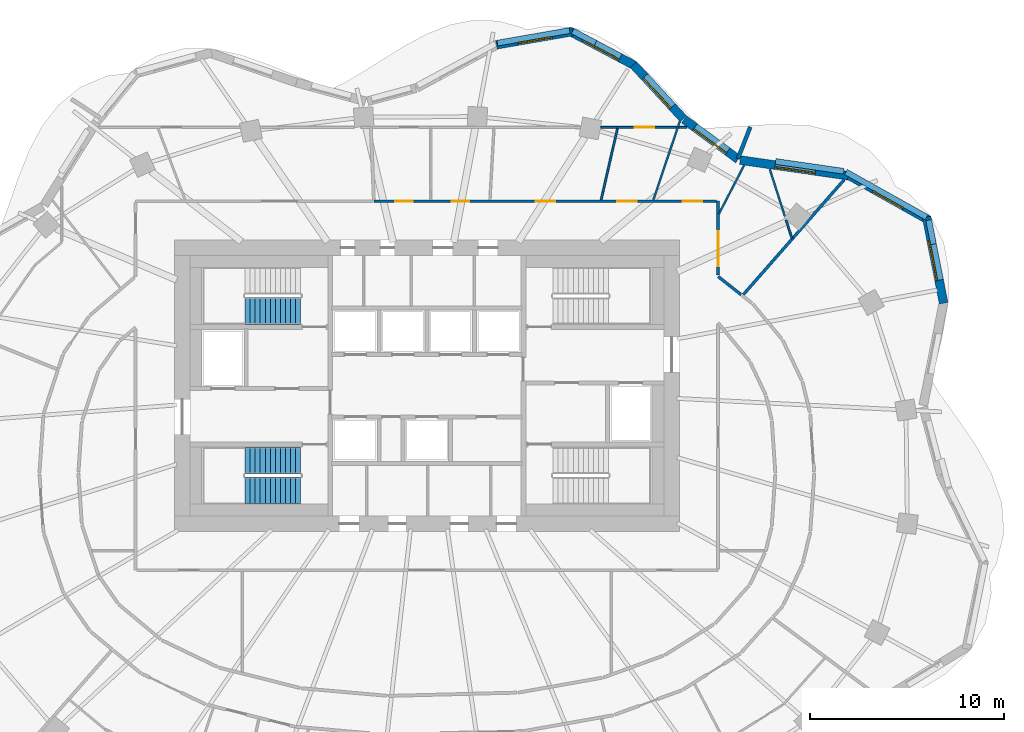
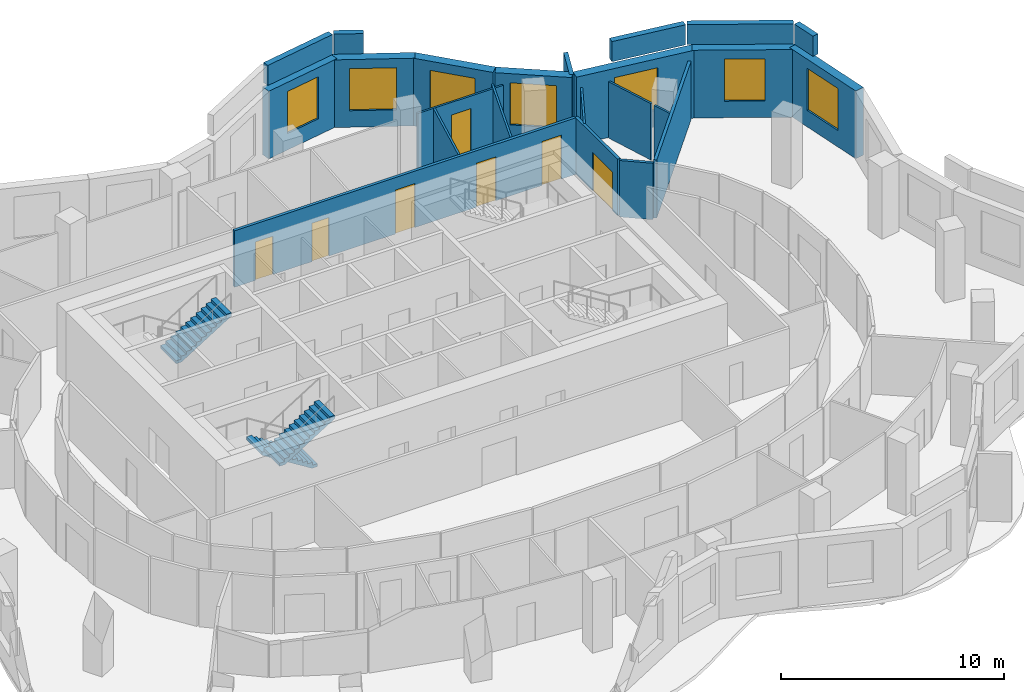
# One storey, part 9 of 11: 23 walls, 7 doors, 7 windows, 3 stair flights, 14 openings, 2 elements without a shape of their own.
"""IFC4 building model written with IfcOpenShell, lengths in metres."""

from ifc_helpers import new_model, si_unit, direction, frame, frame_2d, origin, place, context, subcontext, project, spatial, polyline, rectangle, outline, extrude, material, layer, layer_set, type_object, element, fill, aggregate, save


model = new_model("IFC4")

# Units and contexts
model_context = context("Model", 3, precision=1e-05, world=origin(), true_north=direction((0.0, 1.0)))
body_context = subcontext(model_context, "Body", "Model", "MODEL_VIEW")
ifc_project = project(units=[si_unit("LENGTHUNIT", "METRE"), si_unit("AREAUNIT", "SQUARE_METRE"), si_unit("VOLUMEUNIT", "CUBIC_METRE"), si_unit("PLANEANGLEUNIT", "RADIAN"), si_unit("MASSUNIT", "GRAM", prefix="KILO")], contexts=[model_context])

# Site, building, storey
site_placement = place(None, origin())
site = spatial("IfcSite", under=ifc_project, at=site_placement, CompositionType="ELEMENT")
building_placement = place(site_placement, origin())
building = spatial("IfcBuilding", under=site, at=building_placement, Name="Rubra Terraces Tower", CompositionType="ELEMENT")
storey_placement = place(building_placement, frame((0.0, 0.0, 237.0)))
storey = spatial("IfcBuildingStorey", under=building, at=storey_placement, Name="L58", CompositionType="ELEMENT", Elevation=237.0)

# Wall, opening, window
ifc_material_1 = material(Name="Brick masonry red-brown", Category="masonry")
ifc_layer_1 = layer(ifc_material_1, 0.449951171875)
ifc_layer_set_1 = layer_set([ifc_layer_1], Name="Brick masonry red-brown")
wall_type_1 = type_object("IfcWallType", Name="Brick facade wall 450", PredefinedType="SOLIDWALL", material=ifc_layer_set_1)
wall_1_placement = place(storey_placement, frame((26.609619140625, 8.747802734375, 0.0), z_axis=(0.0, 0.0, 1.0), x_axis=(-0.193923166402, 0.981016720312, 0.0)))
wall_1 = element("IfcWall", 1, at=wall_1_placement, inside=storey, type_object=wall_type_1, Name="Facade wall L58 bay 3", PredefinedType="SOLIDWALL", context=body_context, shape_type="SweptSolid", body=[
    extrude(rectangle(XDim=4.518310546875, YDim=0.449951171875, at=frame_2d((2.25927734375, 0.0))), origin(), (0.0, 0.0, 1.0), 3.699951171875),
])
opening_1_placement = place(wall_1_placement, frame((1.209228515625, 0.0, 0.89990234375)))
opening_1 = element("IfcOpeningElement", 2, at=opening_1_placement, cuts=wall_1, Name="Opening W1B", PredefinedType="OPENING", context=body_context, shape_type="SweptSolid", body=[
    extrude(rectangle(XDim=2.10009765625, YDim=2.300048828125, at=frame_2d((1.050048828125, 1.14990234375))), frame((0.0, 0.23486328125, 0.0), z_axis=(0.0, -1.0, 0.0), x_axis=(1.0, 0.0, 0.0)), (0.0, 0.0, 1.0), 0.469970703125),
])
ifc_material_2 = material(Name="Clear glass in aluminium frame", Category="aluminium")
window_type_1 = type_object("IfcWindowType", Name="Fixed deep-set window tall storey 2100 x 2300", PartitioningType="SINGLE_PANEL", PredefinedType="WINDOW", material=ifc_material_2)
window_1_placement = place(opening_1_placement, origin())
window_1 = element("IfcWindow", 3, at=window_1_placement, inside=storey, type_object=window_type_1, Name="Window L58 bay 3", OverallHeight=2.300048828125, OverallWidth=2.10009765625, PartitioningType="SINGLE_PANEL", PredefinedType="WINDOW", context=body_context, shape_type="SweptSolid", body=[
    extrude(rectangle(XDim=2.10009765625, YDim=2.300048828125, at=frame_2d((1.050048828125, 1.14990234375))), frame((0.0, 0.135009765625, 0.0), z_axis=(0.0, -1.0, 0.0), x_axis=(1.0, 0.0, 0.0)), (0.0, 0.0, 1.0), 0.06005859375),
])
fill(opening_1, window_1)

wall_2_placement = place(storey_placement, frame((25.843994140625, 13.027587890625, 0.0), z_axis=(0.0, 0.0, 1.0), x_axis=(-0.872346398261, 0.488888291373, 0.0)))
wall_2 = element("IfcWall", 4, at=wall_2_placement, inside=storey, type_object=wall_type_1, Name="Facade wall L58 bay 4", PredefinedType="SOLIDWALL", context=body_context, shape_type="SweptSolid", body=[
    extrude(rectangle(XDim=4.696044921875, YDim=0.449951171875, at=frame_2d((2.34814453125, 0.0))), origin(), (0.0, 0.0, 1.0), 3.699951171875),
])
opening_2_placement = place(wall_2_placement, frame((1.447998046875, 0.0, 0.89990234375)))
opening_2 = element("IfcOpeningElement", 5, at=opening_2_placement, cuts=wall_2, Name="Opening W6B", PredefinedType="OPENING", context=body_context, shape_type="SweptSolid", body=[
    extrude(rectangle(XDim=1.800048828125, YDim=2.300048828125, at=frame_2d((0.89990234375, 1.14990234375))), frame((0.0, 0.23486328125, 0.0), z_axis=(0.0, -1.0, 0.0), x_axis=(1.0, 0.0, 0.0)), (0.0, 0.0, 1.0), 0.469970703125),
])
window_type_2 = type_object("IfcWindowType", Name="Fixed deep-set window at wind fin tall storey 1800 x 2300", PartitioningType="SINGLE_PANEL", PredefinedType="WINDOW", material=ifc_material_2)
window_2_placement = place(opening_2_placement, origin())
window_2 = element("IfcWindow", 6, at=window_2_placement, inside=storey, type_object=window_type_2, Name="Window L58 bay 4", OverallHeight=2.300048828125, OverallWidth=1.800048828125, PartitioningType="SINGLE_PANEL", PredefinedType="WINDOW", context=body_context, shape_type="SweptSolid", body=[
    extrude(rectangle(XDim=1.800048828125, YDim=2.300048828125, at=frame_2d((0.89990234375, 1.14990234375))), frame((0.0, 0.135009765625, 0.0), z_axis=(0.0, -1.0, 0.0), x_axis=(1.0, 0.0, 0.0)), (0.0, 0.0, 1.0), 0.06005859375),
])
fill(opening_2, window_2)

wall_3_placement = place(storey_placement, frame((21.8251953125, 15.297119140625, 0.0), z_axis=(0.0, 0.0, 1.0), x_axis=(-0.98971474215, 0.143054986527, 0.0)))
wall_3 = element("IfcWall", 7, at=wall_3_placement, inside=storey, type_object=wall_type_1, Name="Facade wall L58 bay 5", PredefinedType="SOLIDWALL", context=body_context, shape_type="SweptSolid", body=[
    extrude(rectangle(XDim=5.7529296875, YDim=0.449951171875, at=frame_2d((2.87646484375, 0.0))), origin(), (0.0, 0.0, 1.0), 3.699951171875),
])
opening_3_placement = place(wall_3_placement, frame((1.826416015625, 0.0, 0.89990234375)))
opening_3 = element("IfcOpeningElement", 8, at=opening_3_placement, cuts=wall_3, Name="Opening W1B", PredefinedType="OPENING", context=body_context, shape_type="SweptSolid", body=[
    extrude(rectangle(XDim=2.10009765625, YDim=2.300048828125, at=frame_2d((1.050048828125, 1.14990234375))), frame((0.0, 0.23486328125, 0.0), z_axis=(0.0, -1.0, 0.0), x_axis=(1.0, 0.0, 0.0)), (0.0, 0.0, 1.0), 0.469970703125),
])
window_3_placement = place(opening_3_placement, origin())
window_3 = element("IfcWindow", 9, at=window_3_placement, inside=storey, type_object=window_type_1, Name="Window L58 bay 5", OverallHeight=2.300048828125, OverallWidth=2.10009765625, PartitioningType="SINGLE_PANEL", PredefinedType="WINDOW", context=body_context, shape_type="SweptSolid", body=[
    extrude(rectangle(XDim=2.10009765625, YDim=2.300048828125, at=frame_2d((1.050048828125, 1.14990234375))), frame((0.0, 0.135009765625, 0.0), z_axis=(0.0, -1.0, 0.0), x_axis=(1.0, 0.0, 0.0)), (0.0, 0.0, 1.0), 0.06005859375),
])
fill(opening_3, window_3)

wall_4_placement = place(storey_placement, frame((16.03564453125, 16.15771484375, 0.0), z_axis=(0.0, 0.0, 1.0), x_axis=(-0.805181432967, 0.593028549064, 0.0)))
wall_4 = element("IfcWall", 10, at=wall_4_placement, inside=storey, type_object=wall_type_1, Name="Facade wall L58 bay 6", PredefinedType="SOLIDWALL", context=body_context, shape_type="SweptSolid", body=[
    extrude(rectangle(XDim=3.468505859375, YDim=0.449951171875, at=frame_2d((1.734375, 0.0))), origin(), (0.0, 0.0, 1.0), 3.699951171875),
])
opening_4_placement = place(wall_4_placement, frame((0.684326171875, 0.0, 0.89990234375)))
opening_4 = element("IfcOpeningElement", 11, at=opening_4_placement, cuts=wall_4, Name="Opening W1B", PredefinedType="OPENING", context=body_context, shape_type="SweptSolid", body=[
    extrude(rectangle(XDim=2.10009765625, YDim=2.300048828125, at=frame_2d((1.050048828125, 1.14990234375))), frame((0.0, 0.23486328125, 0.0), z_axis=(0.0, -1.0, 0.0), x_axis=(1.0, 0.0, 0.0)), (0.0, 0.0, 1.0), 0.469970703125),
])
window_4_placement = place(opening_4_placement, origin())
window_4 = element("IfcWindow", 12, at=window_4_placement, inside=storey, type_object=window_type_1, Name="Window L58 bay 6", OverallHeight=2.300048828125, OverallWidth=2.10009765625, PartitioningType="SINGLE_PANEL", PredefinedType="WINDOW", context=body_context, shape_type="SweptSolid", body=[
    extrude(rectangle(XDim=2.10009765625, YDim=2.300048828125, at=frame_2d((1.050048828125, 1.14990234375))), frame((0.0, 0.135009765625, 0.0), z_axis=(0.0, -1.0, 0.0), x_axis=(1.0, 0.0, 0.0)), (0.0, 0.0, 1.0), 0.06005859375),
])
fill(opening_4, window_4)

wall_5_placement = place(storey_placement, frame((13.20947265625, 18.242919921875, 0.0), z_axis=(0.0, 0.0, 1.0), x_axis=(-0.677612152497, 0.735419452278, 0.0)))
wall_5 = element("IfcWall", 13, at=wall_5_placement, inside=storey, type_object=wall_type_1, Name="Facade wall L58 bay 7", PredefinedType="SOLIDWALL", context=body_context, shape_type="SweptSolid", body=[
    extrude(rectangle(XDim=3.796875, YDim=0.449951171875, at=frame_2d((1.8984375, 0.0))), origin(), (0.0, 0.0, 1.0), 3.699951171875),
])
opening_5_placement = place(wall_5_placement, frame((0.848388671875, 0.0, 0.89990234375)))
opening_5 = element("IfcOpeningElement", 14, at=opening_5_placement, cuts=wall_5, Name="Opening W1B", PredefinedType="OPENING", context=body_context, shape_type="SweptSolid", body=[
    extrude(rectangle(XDim=2.10009765625, YDim=2.300048828125, at=frame_2d((1.050048828125, 1.14990234375))), frame((0.0, 0.23486328125, 0.0), z_axis=(0.0, -1.0, 0.0), x_axis=(1.0, 0.0, 0.0)), (0.0, 0.0, 1.0), 0.469970703125),
])
window_5_placement = place(opening_5_placement, origin())
window_5 = element("IfcWindow", 15, at=window_5_placement, inside=storey, type_object=window_type_1, Name="Window L58 bay 7", OverallHeight=2.300048828125, OverallWidth=2.10009765625, PartitioningType="SINGLE_PANEL", PredefinedType="WINDOW", context=body_context, shape_type="SweptSolid", body=[
    extrude(rectangle(XDim=2.10009765625, YDim=2.300048828125, at=frame_2d((1.050048828125, 1.14990234375))), frame((0.0, 0.135009765625, 0.0), z_axis=(0.0, -1.0, 0.0), x_axis=(1.0, 0.0, 0.0)), (0.0, 0.0, 1.0), 0.06005859375),
])
fill(opening_5, window_5)

wall_6_placement = place(storey_placement, frame((10.692626953125, 20.9931640625, 0.0), z_axis=(0.0, 0.0, 1.0), x_axis=(-0.883817790726, 0.46783128668, 0.0)))
wall_6 = element("IfcWall", 16, at=wall_6_placement, inside=storey, type_object=wall_type_1, Name="Facade wall L58 bay 8", PredefinedType="SOLIDWALL", context=body_context, shape_type="SweptSolid", body=[
    extrude(rectangle(XDim=3.776611328125, YDim=0.449951171875, at=frame_2d((1.88818359375, 0.0))), origin(), (0.0, 0.0, 1.0), 3.699951171875),
])
opening_6_placement = place(wall_6_placement, frame((0.83837890625, 0.0, 0.89990234375)))
opening_6 = element("IfcOpeningElement", 17, at=opening_6_placement, cuts=wall_6, Name="Opening W1B", PredefinedType="OPENING", context=body_context, shape_type="SweptSolid", body=[
    extrude(rectangle(XDim=2.10009765625, YDim=2.300048828125, at=frame_2d((1.050048828125, 1.14990234375))), frame((0.0, 0.23486328125, 0.0), z_axis=(0.0, -1.0, 0.0), x_axis=(1.0, 0.0, 0.0)), (0.0, 0.0, 1.0), 0.469970703125),
])
window_6_placement = place(opening_6_placement, origin())
window_6 = element("IfcWindow", 18, at=window_6_placement, inside=storey, type_object=window_type_1, Name="Window L58 bay 8", OverallHeight=2.300048828125, OverallWidth=2.10009765625, PartitioningType="SINGLE_PANEL", PredefinedType="WINDOW", context=body_context, shape_type="SweptSolid", body=[
    extrude(rectangle(XDim=2.10009765625, YDim=2.300048828125, at=frame_2d((1.050048828125, 1.14990234375))), frame((0.0, 0.135009765625, 0.0), z_axis=(0.0, -1.0, 0.0), x_axis=(1.0, 0.0, 0.0)), (0.0, 0.0, 1.0), 0.06005859375),
])
fill(opening_6, window_6)

wall_7_placement = place(storey_placement, frame((7.49853515625, 22.7373046875, 0.0), z_axis=(0.0, 0.0, 1.0), x_axis=(-0.98521220506, -0.171338585849, 0.0)))
wall_7 = element("IfcWall", 19, at=wall_7_placement, inside=storey, type_object=wall_type_1, Name="Facade wall L58 bay 9", PredefinedType="SOLIDWALL", context=body_context, shape_type="SweptSolid", body=[
    extrude(rectangle(XDim=3.979736328125, YDim=0.449951171875, at=frame_2d((1.98974609375, 0.0))), origin(), (0.0, 0.0, 1.0), 3.699951171875),
])
opening_7_placement = place(wall_7_placement, frame((1.08984375, 0.0, 0.89990234375)))
opening_7 = element("IfcOpeningElement", 20, at=opening_7_placement, cuts=wall_7, Name="Opening W6B", PredefinedType="OPENING", context=body_context, shape_type="SweptSolid", body=[
    extrude(rectangle(XDim=1.800048828125, YDim=2.300048828125, at=frame_2d((0.89990234375, 1.14990234375))), frame((0.0, 0.23486328125, 0.0), z_axis=(0.0, -1.0, 0.0), x_axis=(1.0, 0.0, 0.0)), (0.0, 0.0, 1.0), 0.469970703125),
])
window_7_placement = place(opening_7_placement, origin())
window_7 = element("IfcWindow", 21, at=window_7_placement, inside=storey, type_object=window_type_2, Name="Window L58 bay 9", OverallHeight=2.300048828125, OverallWidth=1.800048828125, PartitioningType="SINGLE_PANEL", PredefinedType="WINDOW", context=body_context, shape_type="SweptSolid", body=[
    extrude(rectangle(XDim=1.800048828125, YDim=2.300048828125, at=frame_2d((0.89990234375, 1.14990234375))), frame((0.0, 0.135009765625, 0.0), z_axis=(0.0, -1.0, 0.0), x_axis=(1.0, 0.0, 0.0)), (0.0, 0.0, 1.0), 0.06005859375),
])
fill(opening_7, window_7)

# Walls
ifc_layer_2 = layer(ifc_material_1, 0.300048828125)
ifc_layer_set_2 = layer_set([ifc_layer_2], Name="Brick masonry red-brown")
wall_type_2 = type_object("IfcWallType", Name="Brick parapet 300", PredefinedType="PARAPET", material=ifc_layer_set_2)
wall_8_placement = place(storey_placement, frame((26.084228515625, 11.791748046875, 3.89990234375), z_axis=(0.0, 0.0, 1.0), x_axis=(-0.193846183911, 0.981031934742, 0.0)))
element("IfcWall", 22, at=wall_8_placement, inside=storey, type_object=wall_type_2, Name="Parapet L58 bay 3", PredefinedType="PARAPET", context=body_context, shape_type="SweptSolid", body=[
    extrude(rectangle(XDim=1.261962890625, YDim=0.300048828125, at=frame_2d((0.630859375, 0.0))), origin(), (0.0, 0.0, 1.0), 1.10009765625),
])
wall_9_placement = place(storey_placement, frame((25.733642578125, 13.175537109375, 3.89990234375), z_axis=(0.0, 0.0, 1.0), x_axis=(-0.872345142407, 0.488890532245, 0.0)))
element("IfcWall", 23, at=wall_9_placement, inside=storey, type_object=wall_type_2, Name="Parapet L58 bay 4", PredefinedType="PARAPET", context=body_context, shape_type="SweptSolid", body=[
    extrude(rectangle(XDim=4.762939453125, YDim=0.300048828125, at=frame_2d((2.38134765625, 0.0))), origin(), (0.0, 0.0, 1.0), 1.10009765625),
])
wall_10_placement = place(storey_placement, frame((21.470703125, 15.540771484375, 3.89990234375), z_axis=(0.0, 0.0, 1.0), x_axis=(-0.989713234374, 0.143065417571, 0.0)))
element("IfcWall", 24, at=wall_10_placement, inside=storey, type_object=wall_type_2, Name="Parapet L58 bay 5", PredefinedType="PARAPET", context=body_context, shape_type="SweptSolid", body=[
    extrude(rectangle(XDim=3.5546875, YDim=0.300048828125, at=frame_2d((1.77734375, 0.0))), origin(), (0.0, 0.0, 1.0), 1.10009765625),
])
wall_11_placement = place(storey_placement, frame((8.681640625, 22.142578125, 3.89990234375), z_axis=(0.0, 0.0, 1.0), x_axis=(-0.883787916347, 0.467887720419, 0.0)))
element("IfcWall", 25, at=wall_11_placement, inside=storey, type_object=wall_type_2, Name="Parapet L58 bay 8", PredefinedType="PARAPET", context=body_context, shape_type="SweptSolid", body=[
    extrude(rectangle(XDim=1.3291015625, YDim=0.300048828125, at=frame_2d((0.66455078125, 0.0))), origin(), (0.0, 0.0, 1.0), 1.10009765625),
])
wall_12_placement = place(storey_placement, frame((7.35498046875, 22.78857421875, 3.89990234375), z_axis=(0.0, 0.0, 1.0), x_axis=(-0.985197529684, -0.171422949176, 0.0)))
element("IfcWall", 26, at=wall_12_placement, inside=storey, type_object=wall_type_2, Name="Parapet L58 bay 9", PredefinedType="PARAPET", context=body_context, shape_type="SweptSolid", body=[
    extrude(rectangle(XDim=3.77978515625, YDim=0.300048828125, at=frame_2d((1.889892578125, 0.0))), origin(), (0.0, 0.0, 1.0), 1.10009765625),
])
ifc_layer_3 = layer(ifc_material_1, 0.199951171875)
ifc_layer_set_3 = layer_set([ifc_layer_3], Name="Brick masonry red-brown")
wall_type_3 = type_object("IfcWallType", Name="Brick wind fin 200", PredefinedType="SOLIDWALL", material=ifc_layer_set_3)
wall_13_placement = place(storey_placement, frame((16.01904296875, 16.195068359375, 0.0), z_axis=(0.0, 0.0, 1.0), x_axis=(0.362641522028, 0.931928713208, 0.0)))
element("IfcWall", 27, at=wall_13_placement, inside=storey, type_object=wall_type_3, Name="Wind fin L58 4", PredefinedType="SOLIDWALL", context=body_context, shape_type="SweptSolid", body=[
    extrude(rectangle(XDim=1.749755859375, YDim=0.199951171875, at=frame_2d((0.875, 0.0))), origin(), (0.0, 0.0, 1.0), 3.699951171875),
])
ifc_material_3 = material(Name="Plasterboard on steel stud, mineral wool infill", Category="steel")
ifc_layer_4 = layer(ifc_material_3, 0.14990234375)
ifc_layer_set_4 = layer_set([ifc_layer_4], Name="Plasterboard on steel stud, mineral wool infill")
wall_type_4 = type_object("IfcWallType", Name="CORRIDOR PARTITION 150", PredefinedType="PARTITIONING", material=ifc_layer_set_4)
wall_14_placement = place(storey_placement, frame((16.1875, 9.1845703125, 0.0), z_axis=(0.0, 0.0, 1.0), x_axis=(-0.785118219188, 0.61934593072, 0.0)))
element("IfcWall", 28, at=wall_14_placement, inside=storey, type_object=wall_type_4, Name="PARTITION", PredefinedType="PARTITIONING", context=body_context, shape_type="SweptSolid", body=[
    extrude(rectangle(XDim=1.512451171875, YDim=0.14990234375, at=frame_2d((0.75634765625, 0.0))), origin(), (0.0, 0.0, 1.0), 3.083984375),
])

# Wall, opening, door
wall_15_placement = place(storey_placement, frame((15.0, 10.1962890625, 0.0), z_axis=(0.0, 0.0, 1.0), x_axis=(0.0, 1.0, 0.0)))
wall_15 = element("IfcWall", 29, at=wall_15_placement, inside=storey, type_object=wall_type_4, Name="PARTITION", PredefinedType="PARTITIONING", context=body_context, shape_type="SweptSolid", body=[
    extrude(rectangle(XDim=3.8037109375, YDim=0.14990234375, at=frame_2d((1.90185546875, 0.0))), origin(), (0.0, 0.0, 1.0), 3.083984375),
])
opening_8_placement = place(wall_15_placement, frame((0.449951171875, 0.0, 0.0)))
opening_8 = element("IfcOpeningElement", 30, at=opening_8_placement, cuts=wall_15, Name="Opening 58-112", PredefinedType="OPENING", context=body_context, shape_type="SweptSolid", body=[
    extrude(rectangle(XDim=1.800048828125, YDim=2.10009765625, at=frame_2d((0.89990234375, 1.050048828125))), frame((0.0, 0.0849609375, 0.0), z_axis=(0.0, -1.0, 0.0), x_axis=(1.0, 0.0, 0.0)), (0.0, 0.0, 1.0), 0.169921875),
])
ifc_material_4 = material(Name="Painted timber door leaf, double", Category="wood")
door_type_1 = type_object("IfcDoorType", Name="ROOM DOUBLE DOOR 1800 X 2100", OperationType="DOUBLE_DOOR_SINGLE_SWING", PredefinedType="DOOR", material=ifc_material_4)
door_1_placement = place(opening_8_placement, origin())
door_1 = element("IfcDoor", 31, at=door_1_placement, inside=storey, type_object=door_type_1, Name="DOOR 58-112", OperationType="DOUBLE_DOOR_SINGLE_SWING", OverallHeight=2.10009765625, OverallWidth=1.800048828125, PredefinedType="DOOR", context=body_context, shape_type="SweptSolid", body=[
    extrude(rectangle(XDim=1.800048828125, YDim=2.10009765625, at=frame_2d((0.89990234375, 1.050048828125))), frame((0.0, 0.02490234375, 0.0), z_axis=(0.0, -1.0, 0.0), x_axis=(1.0, 0.0, 0.0)), (0.0, 0.0, 1.0), 0.050048828125),
])
fill(opening_8, door_1)

# Wall, openings, doors
wall_16_placement = place(storey_placement, frame((14.925048828125, 14.0, 0.0), z_axis=(0.0, 0.0, 1.0), x_axis=(-1.0, 0.0, 0.0)))
wall_16 = element("IfcWall", 32, at=wall_16_placement, inside=storey, type_object=wall_type_4, Name="PARTITION", PredefinedType="PARTITIONING", context=body_context, shape_type="SweptSolid", body=[
    extrude(rectangle(XDim=17.650390625, YDim=0.14990234375, at=frame_2d((8.8251953125, 0.0))), origin(), (0.0, 0.0, 1.0), 3.083984375),
])
opening_9_placement = place(wall_16_placement, frame((0.742919921875, 0.0, 0.0)))
opening_9 = element("IfcOpeningElement", 33, at=opening_9_placement, cuts=wall_16, Name="Opening 58-113", PredefinedType="OPENING", context=body_context, shape_type="SweptSolid", body=[
    extrude(rectangle(XDim=1.0, YDim=2.39990234375, at=frame_2d((0.5, 1.199951171875))), frame((0.0, 0.0849609375, 0.0), z_axis=(0.0, -1.0, 0.0), x_axis=(1.0, 0.0, 0.0)), (0.0, 0.0, 1.0), 0.169921875),
])
opening_10_placement = place(wall_16_placement, frame((4.126953125, 0.0, 0.0)))
opening_10 = element("IfcOpeningElement", 34, at=opening_10_placement, cuts=wall_16, Name="Opening 58-114", PredefinedType="OPENING", context=body_context, shape_type="SweptSolid", body=[
    extrude(rectangle(XDim=1.0, YDim=2.39990234375, at=frame_2d((0.5, 1.199951171875))), frame((0.0, 0.0849609375, 0.0), z_axis=(0.0, -1.0, 0.0), x_axis=(1.0, 0.0, 0.0)), (0.0, 0.0, 1.0), 0.169921875),
])
opening_11_placement = place(wall_16_placement, frame((8.324951171875, 0.0, 0.0)))
opening_11 = element("IfcOpeningElement", 35, at=opening_11_placement, cuts=wall_16, Name="Opening 58-115", PredefinedType="OPENING", context=body_context, shape_type="SweptSolid", body=[
    extrude(rectangle(XDim=1.0, YDim=2.39990234375, at=frame_2d((0.5, 1.199951171875))), frame((0.0, 0.0849609375, 0.0), z_axis=(0.0, -1.0, 0.0), x_axis=(1.0, 0.0, 0.0)), (0.0, 0.0, 1.0), 0.169921875),
])
opening_12_placement = place(wall_16_placement, frame((12.75, 0.0, 0.0)))
opening_12 = element("IfcOpeningElement", 36, at=opening_12_placement, cuts=wall_16, Name="Opening 58-127", PredefinedType="OPENING", context=body_context, shape_type="SweptSolid", body=[
    extrude(rectangle(XDim=0.89990234375, YDim=2.10009765625, at=frame_2d((0.449951171875, 1.050048828125))), frame((0.0, 0.0849609375, 0.0), z_axis=(0.0, -1.0, 0.0), x_axis=(1.0, 0.0, 0.0)), (0.0, 0.0, 1.0), 0.169921875),
])
opening_13_placement = place(wall_16_placement, frame((15.64990234375, 0.0, 0.0)))
opening_13 = element("IfcOpeningElement", 37, at=opening_13_placement, cuts=wall_16, Name="Opening 58-128", PredefinedType="OPENING", context=body_context, shape_type="SweptSolid", body=[
    extrude(rectangle(XDim=0.89990234375, YDim=2.10009765625, at=frame_2d((0.449951171875, 1.050048828125))), frame((0.0, 0.0849609375, 0.0), z_axis=(0.0, -1.0, 0.0), x_axis=(1.0, 0.0, 0.0)), (0.0, 0.0, 1.0), 0.169921875),
])
ifc_material_5 = material(Name="Painted timber door leaf", Category="wood")
door_type_2 = type_object("IfcDoorType", Name="BATHROOM DOOR 900 X 2100", OperationType="SINGLE_SWING_LEFT", PredefinedType="DOOR", material=ifc_material_5)
door_2_placement = place(opening_12_placement, origin())
door_2 = element("IfcDoor", 38, at=door_2_placement, inside=storey, type_object=door_type_2, Name="DOOR 58-127", OperationType="SINGLE_SWING_RIGHT", OverallHeight=2.10009765625, OverallWidth=0.89990234375, PredefinedType="DOOR", context=body_context, shape_type="SweptSolid", body=[
    extrude(rectangle(XDim=0.89990234375, YDim=2.10009765625, at=frame_2d((0.449951171875, 1.050048828125))), frame((0.0, 0.02490234375, 0.0), z_axis=(0.0, -1.0, 0.0), x_axis=(1.0, 0.0, 0.0)), (0.0, 0.0, 1.0), 0.050048828125),
])
fill(opening_12, door_2)
door_3_placement = place(opening_13_placement, origin())
door_3 = element("IfcDoor", 39, at=door_3_placement, inside=storey, type_object=door_type_2, Name="DOOR 58-128", OperationType="SINGLE_SWING_RIGHT", OverallHeight=2.10009765625, OverallWidth=0.89990234375, PredefinedType="DOOR", context=body_context, shape_type="SweptSolid", body=[
    extrude(rectangle(XDim=0.89990234375, YDim=2.10009765625, at=frame_2d((0.449951171875, 1.050048828125))), frame((0.0, 0.02490234375, 0.0), z_axis=(0.0, -1.0, 0.0), x_axis=(1.0, 0.0, 0.0)), (0.0, 0.0, 1.0), 0.050048828125),
])
fill(opening_13, door_3)
ifc_material_6 = material(Name="Glazed aluminium meeting door leaf", Category="aluminium")
door_type_3 = type_object("IfcDoorType", Name="MEETING ROOM GLAZED DOOR 1000 X 2400", OperationType="SINGLE_SWING_LEFT", PredefinedType="DOOR", material=ifc_material_6)
door_4_placement = place(opening_9_placement, origin())
door_4 = element("IfcDoor", 40, at=door_4_placement, inside=storey, type_object=door_type_3, Name="DOOR 58-113", OperationType="SINGLE_SWING_RIGHT", OverallHeight=2.39990234375, OverallWidth=1.0, PredefinedType="DOOR", context=body_context, shape_type="SweptSolid", body=[
    extrude(rectangle(XDim=1.0, YDim=2.39990234375, at=frame_2d((0.5, 1.199951171875))), frame((0.0, 0.02490234375, 0.0), z_axis=(0.0, -1.0, 0.0), x_axis=(1.0, 0.0, 0.0)), (0.0, 0.0, 1.0), 0.050048828125),
])
fill(opening_9, door_4)
door_5_placement = place(opening_10_placement, origin())
door_5 = element("IfcDoor", 41, at=door_5_placement, inside=storey, type_object=door_type_3, Name="DOOR 58-114", OperationType="SINGLE_SWING_RIGHT", OverallHeight=2.39990234375, OverallWidth=1.0, PredefinedType="DOOR", context=body_context, shape_type="SweptSolid", body=[
    extrude(rectangle(XDim=1.0, YDim=2.39990234375, at=frame_2d((0.5, 1.199951171875))), frame((0.0, 0.02490234375, 0.0), z_axis=(0.0, -1.0, 0.0), x_axis=(1.0, 0.0, 0.0)), (0.0, 0.0, 1.0), 0.050048828125),
])
fill(opening_10, door_5)
door_6_placement = place(opening_11_placement, origin())
door_6 = element("IfcDoor", 42, at=door_6_placement, inside=storey, type_object=door_type_3, Name="DOOR 58-115", OperationType="SINGLE_SWING_RIGHT", OverallHeight=2.39990234375, OverallWidth=1.0, PredefinedType="DOOR", context=body_context, shape_type="SweptSolid", body=[
    extrude(rectangle(XDim=1.0, YDim=2.39990234375, at=frame_2d((0.5, 1.199951171875))), frame((0.0, 0.02490234375, 0.0), z_axis=(0.0, -1.0, 0.0), x_axis=(1.0, 0.0, 0.0)), (0.0, 0.0, 1.0), 0.050048828125),
])
fill(opening_11, door_6)

# Wall, opening, door
ifc_material_7 = material(Name="Plasterboard on steel stud", Category="steel")
ifc_layer_5 = layer(ifc_material_7, 0.10009765625)
ifc_layer_set_5 = layer_set([ifc_layer_5], Name="Plasterboard on steel stud")
wall_type_5 = type_object("IfcWallType", Name="ROOM PARTITION 100", PredefinedType="PARTITIONING", material=ifc_layer_set_5)
wall_17_placement = place(storey_placement, frame((8.961669921875, 17.800048828125, 0.0), z_axis=(0.0, 0.0, 1.0), x_axis=(1.0, 0.0, 0.0)))
wall_17 = element("IfcWall", 43, at=wall_17_placement, inside=storey, type_object=wall_type_5, Name="PARTITION", PredefinedType="PARTITIONING", context=body_context, shape_type="SweptSolid", body=[
    extrude(rectangle(XDim=4.43115234375, YDim=0.10009765625, at=frame_2d((2.215576171875, 0.0))), origin(), (0.0, 0.0, 1.0), 3.083984375),
])
opening_14_placement = place(wall_17_placement, frame((1.75, 0.0, 0.0)))
opening_14 = element("IfcOpeningElement", 44, at=opening_14_placement, cuts=wall_17, Name="Opening 58-126", PredefinedType="OPENING", context=body_context, shape_type="SweptSolid", body=[
    extrude(rectangle(XDim=1.0, YDim=2.39990234375, at=frame_2d((0.5, 1.199951171875))), frame((0.0, 0.06005859375, 0.0), z_axis=(0.0, -1.0, 0.0), x_axis=(1.0, 0.0, 0.0)), (0.0, 0.0, 1.0), 0.1201171875),
])
door_7_placement = place(opening_14_placement, origin())
door_7 = element("IfcDoor", 45, at=door_7_placement, inside=storey, type_object=door_type_3, Name="DOOR 58-126", OperationType="SINGLE_SWING_LEFT", OverallHeight=2.39990234375, OverallWidth=1.0, PredefinedType="DOOR", context=body_context, shape_type="SweptSolid", body=[
    extrude(rectangle(XDim=1.0, YDim=2.39990234375, at=frame_2d((0.5, 1.199951171875))), frame((0.0, 0.02490234375, 0.0), z_axis=(0.0, -1.0, 0.0), x_axis=(1.0, 0.0, 0.0)), (0.0, 0.0, 1.0), 0.050048828125),
])
fill(opening_14, door_7)

# Walls
wall_18_placement = place(storey_placement, frame((17.656494140625, 15.652099609375, 0.0), z_axis=(0.0, 0.0, 1.0), x_axis=(0.304692182397, -0.952450877466, 0.0)))
element("IfcWall", 46, at=wall_18_placement, inside=storey, type_object=wall_type_5, Name="PARTITION", PredefinedType="PARTITIONING", context=body_context, shape_type="SweptSolid", body=[
    extrude(rectangle(XDim=2.544921875, YDim=0.10009765625, at=frame_2d((1.2724609375, 0.0))), origin(), (0.0, 0.0, 1.0), 3.083984375),
])
wall_19_placement = place(storey_placement, frame((18.49560546875, 13.028564453125, 0.0), z_axis=(0.0, 0.0, 1.0), x_axis=(0.304695933272, -0.952449677541, 0.0)))
element("IfcWall", 47, at=wall_19_placement, inside=storey, type_object=wall_type_5, Name="PARTITION", PredefinedType="PARTITIONING", context=body_context, shape_type="SweptSolid", body=[
    extrude(rectangle(XDim=0.999267578125, YDim=0.10009765625, at=frame_2d((0.49951171875, 0.0))), origin(), (0.0, 0.0, 1.0), 3.083984375),
])
wall_20_placement = place(storey_placement, frame((15.034423828125, 13.34130859375, 0.0), z_axis=(0.0, 0.0, 1.0), x_axis=(0.460131451108, 0.887850802614, 0.0)))
element("IfcWall", 48, at=wall_20_placement, inside=storey, type_object=wall_type_5, Name="PARTITION", PredefinedType="PARTITIONING", context=body_context, shape_type="SweptSolid", body=[
    extrude(rectangle(XDim=2.839599609375, YDim=0.10009765625, at=frame_2d((1.419921875, 0.0))), origin(), (0.0, 0.0, 1.0), 3.083984375),
])
wall_21_placement = place(storey_placement, frame((11.663818359375, 14.071044921875, 0.0), z_axis=(0.0, 0.0, 1.0), x_axis=(0.319050122348, 0.947737843198, 0.0)))
element("IfcWall", 49, at=wall_21_placement, inside=storey, type_object=wall_type_5, Name="PARTITION", PredefinedType="PARTITIONING", context=body_context, shape_type="SweptSolid", body=[
    extrude(rectangle(XDim=4.25390625, YDim=0.10009765625, at=frame_2d((2.126953125, 0.0))), origin(), (0.0, 0.0, 1.0), 3.083984375),
])
wall_22_placement = place(storey_placement, frame((8.97314453125, 14.072998046875, 0.0), z_axis=(0.0, 0.0, 1.0), x_axis=(0.22309183241, 0.97479743245, 0.0)))
element("IfcWall", 50, at=wall_22_placement, inside=storey, type_object=wall_type_5, Name="PARTITION", PredefinedType="PARTITIONING", context=body_context, shape_type="SweptSolid", body=[
    extrude(rectangle(XDim=3.7734375, YDim=0.10009765625, at=frame_2d((1.88671875, 0.0))), origin(), (0.0, 0.0, 1.0), 3.083984375),
])
ifc_layer_6 = layer(ifc_material_7, 0.14990234375)
ifc_layer_set_6 = layer_set([ifc_layer_6], Name="Plasterboard on steel stud")
wall_type_6 = type_object("IfcWallType", Name="ROOM PARTITION 150", PredefinedType="PARTITIONING", material=ifc_layer_set_6)
wall_23_placement = place(storey_placement, frame((21.492919921875, 15.11376953125, 0.0), z_axis=(0.0, 0.0, 1.0), x_axis=(-0.659778549164, -0.751460089467, 0.0)))
element("IfcWall", 51, at=wall_23_placement, inside=storey, type_object=wall_type_6, Name="PARTITION", PredefinedType="PARTITIONING", context=body_context, shape_type="SweptSolid", body=[
    extrude(rectangle(XDim=7.876953125, YDim=0.14990234375, at=frame_2d((3.9384765625, 0.0))), origin(), (0.0, 0.0, 1.0), 3.18408203125),
])

# Stair, stair flights
ifc_material_8 = material(Name="Concrete C40", Category="concrete")
stair_type = type_object("IfcStairType", Name="Core stair 1400", PredefinedType="HALF_TURN_STAIR", material=ifc_material_8)
stair_1_placement = place(storey_placement, origin())
stair_1 = element("IfcStair", 52, at=stair_1_placement, inside=storey, type_object=stair_type, Name="L58 Exit stair S1", PredefinedType="HALF_TURN_STAIR")
stair_flight_type = type_object("IfcStairFlightType", Name="Core stair flight 1400", PredefinedType="STRAIGHT", material=ifc_material_8)
stair_flight_1_placement = place(storey_placement, frame((-6.5, 0.64990234375, 0.0), z_axis=(0.0, 0.0, 1.0), x_axis=(-1.0, 0.0, 0.0)))
stair_flight_1 = element("IfcStairFlight", 53, at=stair_flight_1_placement, type_object=stair_flight_type, Name="S1 flight 1", NumberOfRisers=12, NumberOfTreads=11, PredefinedType="STRAIGHT", RiserHeight=0.1625, TreadLength=0.26, context=body_context, shape_type="SweptSolid", body=[
    extrude(outline(polyline([(0.0, 0.0), (0.0, 0.16259765625), (0.260009765625, 0.16259765625), (0.260009765625, 0.324951171875), (0.52001953125, 0.324951171875), (0.52001953125, 0.487548828125), (0.780029296875, 0.487548828125), (0.780029296875, 0.64990234375), (1.0400390625, 0.64990234375), (1.0400390625, 0.8125), (1.300048828125, 0.8125), (1.300048828125, 0.97509765625), (1.56005859375, 0.97509765625), (1.56005859375, 1.137451171875), (1.820068359375, 1.137451171875), (1.820068359375, 1.300048828125), (2.080078125, 1.300048828125), (2.080078125, 1.46240234375), (2.340087890625, 1.46240234375), (2.340087890625, 1.625), (2.60009765625, 1.625), (2.60009765625, 1.78759765625), (2.860107421875, 1.78759765625), (2.860107421875, 1.949951171875), (2.860107421875, 1.61083984375), (0.28271484375, 0.0), (0.0, 0.0)])), frame((0.0, 0.699951171875, 0.0), z_axis=(0.0, -1.0, 0.0), x_axis=(1.0, 0.0, 0.0)), (0.0, 0.0, 1.0), 1.39990234375),
])
stair_flight_2_placement = place(storey_placement, frame((-9.360107421875, -0.89990234375, 1.949951171875), z_axis=(0.0, 0.0, 1.0), x_axis=(1.0, 0.0, 0.0)))
stair_flight_2 = element("IfcStairFlight", 54, at=stair_flight_2_placement, type_object=stair_flight_type, Name="S1 flight 2", NumberOfRisers=12, NumberOfTreads=11, PredefinedType="STRAIGHT", RiserHeight=0.1625, TreadLength=0.26, context=body_context, shape_type="SweptSolid", body=[
    extrude(outline(polyline([(0.0, 0.0), (0.0, 0.16259765625), (0.260009765625, 0.16259765625), (0.260009765625, 0.324951171875), (0.52001953125, 0.324951171875), (0.52001953125, 0.487548828125), (0.780029296875, 0.487548828125), (0.780029296875, 0.64990234375), (1.0400390625, 0.64990234375), (1.0400390625, 0.8125), (1.300048828125, 0.8125), (1.300048828125, 0.97509765625), (1.56005859375, 0.97509765625), (1.56005859375, 1.137451171875), (1.820068359375, 1.137451171875), (1.820068359375, 1.300048828125), (2.080078125, 1.300048828125), (2.080078125, 1.46240234375), (2.340087890625, 1.46240234375), (2.340087890625, 1.625), (2.60009765625, 1.625), (2.60009765625, 1.78759765625), (2.860107421875, 1.78759765625), (2.860107421875, 1.949951171875), (2.860107421875, 1.61083984375), (0.28271484375, 0.0), (0.0, 0.0)])), frame((0.0, 0.699951171875, 0.0), z_axis=(0.0, -1.0, 0.0), x_axis=(1.0, 0.0, 0.0)), (0.0, 0.0, 1.0), 1.39990234375),
])
aggregate(stair_1, [stair_flight_1, stair_flight_2])

# Stair, stair flight
stair_2_placement = place(storey_placement, origin())
stair_2 = element("IfcStair", 55, at=stair_2_placement, inside=storey, type_object=stair_type, Name="L58 Exit stair S2", PredefinedType="HALF_TURN_STAIR")
stair_flight_3_placement = place(storey_placement, frame((-9.360107421875, 8.35009765625, 1.949951171875), z_axis=(0.0, 0.0, 1.0), x_axis=(1.0, 0.0, 0.0)))
stair_flight_3 = element("IfcStairFlight", 56, at=stair_flight_3_placement, type_object=stair_flight_type, Name="S2 flight 2", NumberOfRisers=12, NumberOfTreads=11, PredefinedType="STRAIGHT", RiserHeight=0.1625, TreadLength=0.26, context=body_context, shape_type="SweptSolid", body=[
    extrude(outline(polyline([(0.0, 0.0), (0.0, 0.16259765625), (0.260009765625, 0.16259765625), (0.260009765625, 0.324951171875), (0.52001953125, 0.324951171875), (0.52001953125, 0.487548828125), (0.780029296875, 0.487548828125), (0.780029296875, 0.64990234375), (1.0400390625, 0.64990234375), (1.0400390625, 0.8125), (1.300048828125, 0.8125), (1.300048828125, 0.97509765625), (1.56005859375, 0.97509765625), (1.56005859375, 1.137451171875), (1.820068359375, 1.137451171875), (1.820068359375, 1.300048828125), (2.080078125, 1.300048828125), (2.080078125, 1.46240234375), (2.340087890625, 1.46240234375), (2.340087890625, 1.625), (2.60009765625, 1.625), (2.60009765625, 1.78759765625), (2.860107421875, 1.78759765625), (2.860107421875, 1.949951171875), (2.860107421875, 1.61083984375), (0.28271484375, 0.0), (0.0, 0.0)])), frame((0.0, 0.699951171875, 0.0), z_axis=(0.0, -1.0, 0.0), x_axis=(1.0, 0.0, 0.0)), (0.0, 0.0, 1.0), 1.39990234375),
])
aggregate(stair_2, [stair_flight_3])

save(model, "model.ifc")
